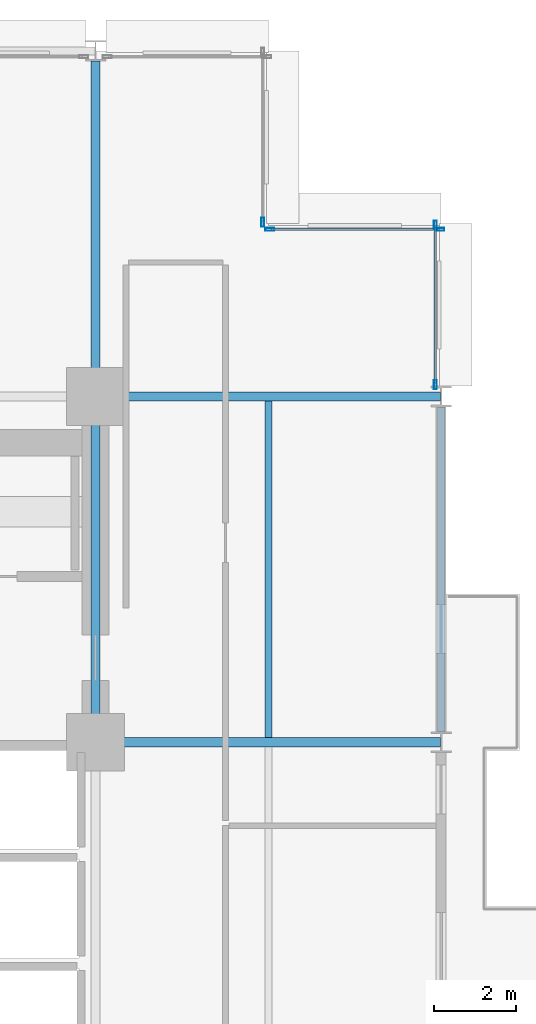
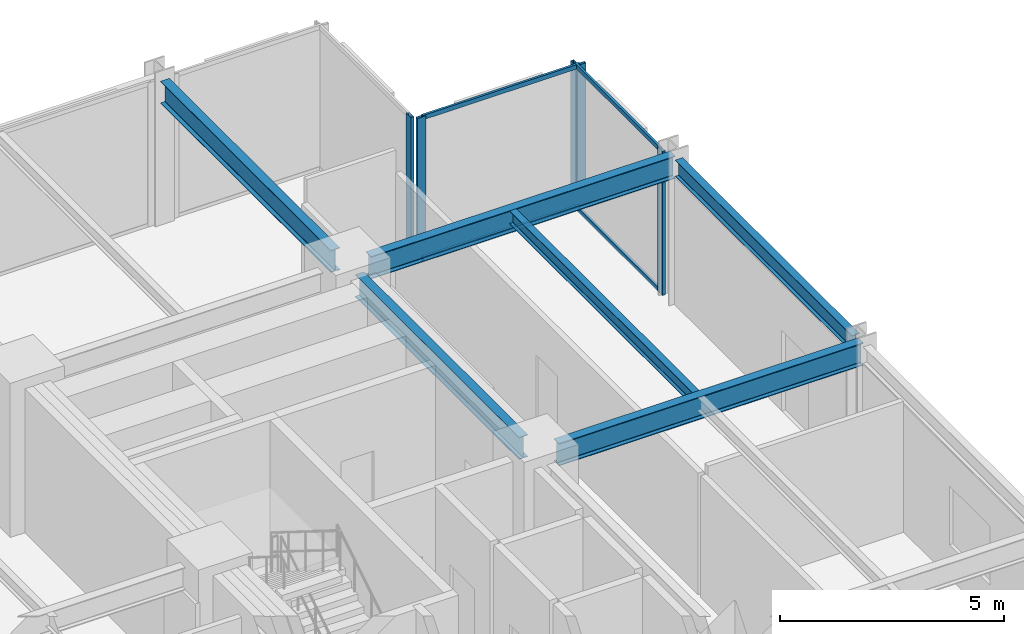
# One storey, part 16 of 25: 9 members, 6 beams, 3 elements without a shape of their own.
"""IFC4 building model written with IfcOpenShell, lengths in metres."""

from ifc_helpers import new_model, si_unit, direction, frame, origin, origin_2d, place, context, subcontext, project, spatial, hollow_rectangle, i_section, extrude, material, layer, layer_set, material_profile, profile_set, type_object, element, aggregate, save


model = new_model("IFC4")

# Units and contexts
model_context = context("Model", 3, precision=1e-05, world=origin(), true_north=direction((0.0, 1.0)))
body_context = subcontext(model_context, "Body", "Model", "MODEL_VIEW")
ifc_project = project(units=[si_unit("LENGTHUNIT", "METRE"), si_unit("AREAUNIT", "SQUARE_METRE"), si_unit("VOLUMEUNIT", "CUBIC_METRE"), si_unit("PLANEANGLEUNIT", "RADIAN"), si_unit("MASSUNIT", "GRAM", prefix="KILO")], contexts=[model_context])

# Site, building, storey
site_placement = place(None, origin())
site = spatial("IfcSite", under=ifc_project, at=site_placement, CompositionType="ELEMENT")
building_placement = place(site_placement, origin())
building = spatial("IfcBuilding", under=site, at=building_placement, Name="Nerrivon Quay Data Exchange", CompositionType="ELEMENT")
storey_placement = place(building_placement, frame((0.0, 0.0, 24.800048828125)))
storey = spatial("IfcBuildingStorey", under=building, at=storey_placement, Name="L05", CompositionType="ELEMENT", Elevation=24.800048828125)

# Beams
ifc_material_1 = material(Name="Steel Grade 350", Category="steel")
ifc_material_profile_1 = material_profile(ifc_material_1, i_section(OverallWidth=0.22900390625, OverallDepth=0.612060546875, WebThickness=0.011962890625, FlangeThickness=0.01953125, FilletRadius=0.013916015625, at=origin_2d()), Name="610UB125")
ifc_profile_set_1 = profile_set([ifc_material_profile_1], Name="Steel Grade 350")
beam_type_1 = type_object("IfcBeamType", Name="BM-G1-610UB125", PredefinedType="BEAM", material=ifc_profile_set_1)
for number, where, z_axis, x_axis, name in (
    (1, (17.340087890625, 33.60009765625, 3.618896484375), (1.0, 0.0, 0.0), (0.0, 1.0, 0.0), "L05 EW Girder Y=33.6 (16.8..25.2)"),
    (2, (17.340087890625, 42.0, 3.618896484375), (1.0, 0.0, 0.0), (0.0, 1.0, 0.0), "L05 EW Girder Y=42.0 (16.8..25.2)"),
):
    element("IfcBeam", number, at=place(storey_placement, frame(where, z_axis=z_axis, x_axis=x_axis)), inside=storey, type_object=beam_type_1, Name=name, PredefinedType="BEAM", context=body_context, shape_type="SweptSolid", body=[
        extrude(i_section(OverallWidth=0.22900390625, OverallDepth=0.612060546875, WebThickness=0.011962890625, FlangeThickness=0.01953125, FilletRadius=0.013916015625, at=origin_2d()), origin(), (0.0, 0.0, 1.0), 7.845947265625),
    ])
ifc_material_profile_2 = material_profile(ifc_material_1, i_section(OverallWidth=0.22802734375, OverallDepth=0.60205078125, WebThickness=0.010498046875, FlangeThickness=0.014892578125, FilletRadius=0.013916015625, at=origin_2d()), Name="610UB101")
ifc_profile_set_2 = profile_set([ifc_material_profile_2], Name="Steel Grade 350")
beam_type_2 = type_object("IfcBeamType", Name="BM-G2-610UB101", PredefinedType="BEAM", material=ifc_profile_set_2)
beam_1_placement = place(storey_placement, frame((16.800048828125, 34.139892578125, 3.6240234375), z_axis=(0.0, 1.0, 0.0), x_axis=(-1.0, 0.0, 0.0)))
element("IfcBeam", 3, at=beam_1_placement, inside=storey, type_object=beam_type_2, Name="L05 NS Girder X=16.8 (33.6..42.0)", PredefinedType="BEAM", context=body_context, shape_type="SweptSolid", body=[
    extrude(i_section(OverallWidth=0.22802734375, OverallDepth=0.60205078125, WebThickness=0.010498046875, FlangeThickness=0.014892578125, FilletRadius=0.013916015625, at=origin_2d()), origin(), (0.0, 0.0, 1.0), 7.320068359375),
])
beam_2_placement = place(storey_placement, frame((16.800048828125, 42.5400390625, 3.6240234375), z_axis=(0.0, 1.0, 0.0), x_axis=(-1.0, 0.0, 0.0)))
element("IfcBeam", 4, at=beam_2_placement, inside=storey, type_object=beam_type_2, Name="L05 NS Girder X=16.8 (42.0..50.4)", PredefinedType="BEAM", context=body_context, shape_type="SweptSolid", body=[
    extrude(i_section(OverallWidth=0.22802734375, OverallDepth=0.60205078125, WebThickness=0.010498046875, FlangeThickness=0.014892578125, FilletRadius=0.013916015625, at=origin_2d()), origin(), (0.0, 0.0, 1.0), 7.60986328125),
])
ifc_material_profile_3 = material_profile(ifc_material_1, i_section(OverallWidth=0.172119140625, OverallDepth=0.35888671875, WebThickness=0.008056640625, FlangeThickness=0.012939453125, FilletRadius=0.011474609375, at=origin_2d()), Name="360UB56.7")
ifc_profile_set_3 = profile_set([ifc_material_profile_3], Name="Steel Grade 350")
beam_type_3 = type_object("IfcBeamType", Name="BM-J3-360UB57", PredefinedType="JOIST", material=ifc_profile_set_3)
beam_3_placement = place(storey_placement, frame((21.0, 33.714599609375, 3.745361328125), z_axis=(0.0, 1.0, 0.0), x_axis=(-1.0, 0.0, 0.0)))
element("IfcBeam", 5, at=beam_3_placement, inside=storey, type_object=beam_type_3, Name="L05 Secondary Joist X=21.0 (33.6..42.0)", PredefinedType="JOIST", context=body_context, shape_type="SweptSolid", body=[
    extrude(i_section(OverallWidth=0.172119140625, OverallDepth=0.35888671875, WebThickness=0.008056640625, FlangeThickness=0.012939453125, FilletRadius=0.011474609375, at=origin_2d()), origin(), (0.0, 0.0, 1.0), 8.1708984375),
])
ifc_material_profile_4 = material_profile(ifc_material_1, i_section(OverallWidth=0.18994140625, OverallDepth=0.4541015625, WebThickness=0.008544921875, FlangeThickness=0.0126953125, FilletRadius=0.011474609375, at=origin_2d()), Name="460UB67.1")
ifc_profile_set_4 = profile_set([ifc_material_profile_4], Name="Steel Grade 350")
beam_type_4 = type_object("IfcBeamType", Name="BM-SP1-460UB67", PredefinedType="SPANDREL", material=ifc_profile_set_4)
beam_4_placement = place(storey_placement, frame((25.199951171875, 33.85009765625, 3.697998046875), z_axis=(0.0, 1.0, 0.0), x_axis=(-1.0, 0.0, 0.0)))
element("IfcBeam", 6, at=beam_4_placement, inside=storey, type_object=beam_type_4, Name="L05 NS Girder X=25.2 (33.6..42.0)", PredefinedType="SPANDREL", context=body_context, shape_type="SweptSolid", body=[
    extrude(i_section(OverallWidth=0.18994140625, OverallDepth=0.4541015625, WebThickness=0.008544921875, FlangeThickness=0.0126953125, FilletRadius=0.011474609375, at=origin_2d()), origin(), (0.0, 0.0, 1.0), 7.89990234375),
])

# Curtain wall, member
ifc_material_2 = material(Name="Anodised aluminium 6063-T6", Category="aluminium")
ifc_layer = layer(ifc_material_2, 0.219970703125)
ifc_layer_set = layer_set([ifc_layer], Name="Anodised aluminium 6063-T6")
curtain_wall_type = type_object("IfcCurtainWallType", Name="CW-SYS-01", PredefinedType="NOTDEFINED", material=ifc_layer_set)
curtain_wall_1_placement = place(storey_placement, origin())
curtain_wall_1 = element("IfcCurtainWall", 7, at=curtain_wall_1_placement, inside=storey, type_object=curtain_wall_type, Name="L05 Unitised Curtain Wall 23", PredefinedType="NOTDEFINED")
ifc_material_profile_5 = material_profile(ifc_material_2, hollow_rectangle(XDim=0.074951171875, YDim=0.219970703125, WallThickness=0.00390625, at=origin_2d()), Name="ALU-MULL-220x75")
ifc_profile_set_5 = profile_set([ifc_material_profile_5], Name="Anodised aluminium 6063-T6")
member_type_1 = type_object("IfcMemberType", Name="CWM-220x75", PredefinedType="MULLION", material=ifc_profile_set_5)
member_1_placement = place(storey_placement, frame((20.860107421875, 46.237548828125, 0.0), z_axis=(0.0, 0.0, 1.0), x_axis=(1.0, 0.0, 0.0)))
member_1 = element("IfcMember", 8, at=member_1_placement, type_object=member_type_1, Name="CW01 mullion 2", PredefinedType="MULLION", context=body_context, shape_type="SweptSolid", body=[
    extrude(hollow_rectangle(XDim=0.074951171875, YDim=0.219970703125, WallThickness=0.00390625, at=origin_2d()), origin(), (0.0, 0.0, 1.0), 3.925048828125),
])
aggregate(curtain_wall_1, [member_1])

# Curtain wall, members
curtain_wall_2_placement = place(storey_placement, origin())
curtain_wall_2 = element("IfcCurtainWall", 9, at=curtain_wall_2_placement, inside=storey, type_object=curtain_wall_type, Name="L05 Unitised Curtain Wall 24", PredefinedType="NOTDEFINED")
member_2_placement = place(storey_placement, frame((21.03759765625, 46.06005859375, 0.0), z_axis=(0.0, 0.0, 1.0), x_axis=(0.0, 1.0, 0.0)))
member_2 = element("IfcMember", 10, at=member_2_placement, type_object=member_type_1, Name="CW01 mullion 1", PredefinedType="MULLION", context=body_context, shape_type="SweptSolid", body=[
    extrude(hollow_rectangle(XDim=0.074951171875, YDim=0.219970703125, WallThickness=0.00390625, at=origin_2d()), origin(), (0.0, 0.0, 1.0), 3.925048828125),
])
member_3_placement = place(storey_placement, frame((25.16259765625, 46.06005859375, 0.0), z_axis=(0.0, 0.0, 1.0), x_axis=(0.0, 1.0, 0.0)))
member_3 = element("IfcMember", 11, at=member_3_placement, type_object=member_type_1, Name="CW01 mullion 2", PredefinedType="MULLION", context=body_context, shape_type="SweptSolid", body=[
    extrude(hollow_rectangle(XDim=0.074951171875, YDim=0.219970703125, WallThickness=0.00390625, at=origin_2d()), origin(), (0.0, 0.0, 1.0), 3.925048828125),
])

curtain_wall_3_placement = place(storey_placement, origin())
curtain_wall_3 = element("IfcCurtainWall", 12, at=curtain_wall_3_placement, inside=storey, type_object=curtain_wall_type, Name="L05 Unitised Curtain Wall 25", PredefinedType="NOTDEFINED")
member_4_placement = place(storey_placement, frame((25.06005859375, 46.16259765625, 0.0), z_axis=(0.0, 0.0, 1.0), x_axis=(1.0, 0.0, 0.0)))
member_4 = element("IfcMember", 13, at=member_4_placement, type_object=member_type_1, Name="CW01 mullion 1", PredefinedType="MULLION", context=body_context, shape_type="SweptSolid", body=[
    extrude(hollow_rectangle(XDim=0.074951171875, YDim=0.219970703125, WallThickness=0.00390625, at=origin_2d()), origin(), (0.0, 0.0, 1.0), 3.925048828125),
])
member_5_placement = place(storey_placement, frame((25.06005859375, 42.28759765625, 0.0), z_axis=(0.0, 0.0, 1.0), x_axis=(1.0, 0.0, 0.0)))
member_5 = element("IfcMember", 14, at=member_5_placement, type_object=member_type_1, Name="CW01 mullion 2", PredefinedType="MULLION", context=body_context, shape_type="SweptSolid", body=[
    extrude(hollow_rectangle(XDim=0.074951171875, YDim=0.219970703125, WallThickness=0.00390625, at=origin_2d()), origin(), (0.0, 0.0, 1.0), 3.925048828125),
])

# Member
ifc_material_profile_6 = material_profile(ifc_material_2, hollow_rectangle(XDim=0.06005859375, YDim=0.1201171875, WallThickness=0.003173828125, at=origin_2d()), Name="ALU-TRAN-120x60")
ifc_profile_set_6 = profile_set([ifc_material_profile_6], Name="Anodised aluminium 6063-T6")
member_type_2 = type_object("IfcMemberType", Name="CWT-120x60", PredefinedType="USERDEFINED", material=ifc_profile_set_6)
member_6_placement = place(storey_placement, frame((21.074951171875, 46.06005859375, 0.032470703125), z_axis=(1.0, 0.0, 0.0), x_axis=(0.0, 1.0, 0.0)))
member_6 = element("IfcMember", 15, at=member_6_placement, type_object=member_type_2, Name="CW01 transom 1.1", ObjectType="TRANSOM", PredefinedType="USERDEFINED", context=body_context, shape_type="SweptSolid", body=[
    extrude(hollow_rectangle(XDim=0.06005859375, YDim=0.1201171875, WallThickness=0.003173828125, at=origin_2d()), origin(), (0.0, 0.0, 1.0), 4.050048828125),
])

member_7_placement = place(storey_placement, frame((21.074951171875, 46.06005859375, 3.892333984375), z_axis=(1.0, 0.0, 0.0), x_axis=(0.0, 1.0, 0.0)))
member_7 = element("IfcMember", 16, at=member_7_placement, type_object=member_type_2, Name="CW01 transom 1.2", ObjectType="TRANSOM", PredefinedType="USERDEFINED", context=body_context, shape_type="SweptSolid", body=[
    extrude(hollow_rectangle(XDim=0.06005859375, YDim=0.1201171875, WallThickness=0.003173828125, at=origin_2d()), origin(), (0.0, 0.0, 1.0), 4.050048828125),
])

aggregate(curtain_wall_2, [member_2, member_3, member_6, member_7])

member_8_placement = place(storey_placement, frame((25.06005859375, 46.125, 0.032470703125), z_axis=(0.0, -1.0, 0.0), x_axis=(1.0, 0.0, 0.0)))
member_8 = element("IfcMember", 17, at=member_8_placement, type_object=member_type_2, Name="CW01 transom 1.1", ObjectType="TRANSOM", PredefinedType="USERDEFINED", context=body_context, shape_type="SweptSolid", body=[
    extrude(hollow_rectangle(XDim=0.06005859375, YDim=0.1201171875, WallThickness=0.003173828125, at=origin_2d()), origin(), (0.0, 0.0, 1.0), 3.800048828125),
])

member_9_placement = place(storey_placement, frame((25.06005859375, 46.125, 3.892333984375), z_axis=(0.0, -1.0, 0.0), x_axis=(1.0, 0.0, 0.0)))
member_9 = element("IfcMember", 18, at=member_9_placement, type_object=member_type_2, Name="CW01 transom 1.2", ObjectType="TRANSOM", PredefinedType="USERDEFINED", context=body_context, shape_type="SweptSolid", body=[
    extrude(hollow_rectangle(XDim=0.06005859375, YDim=0.1201171875, WallThickness=0.003173828125, at=origin_2d()), origin(), (0.0, 0.0, 1.0), 3.800048828125),
])

aggregate(curtain_wall_3, [member_4, member_5, member_8, member_9])

save(model, "model.ifc")
